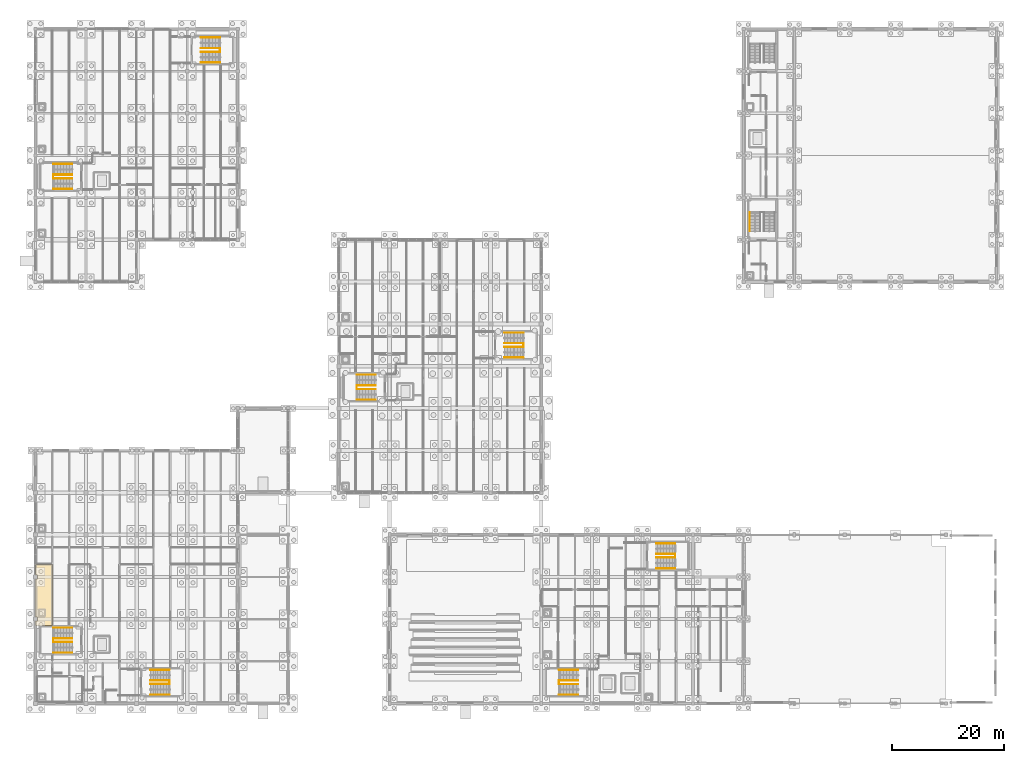
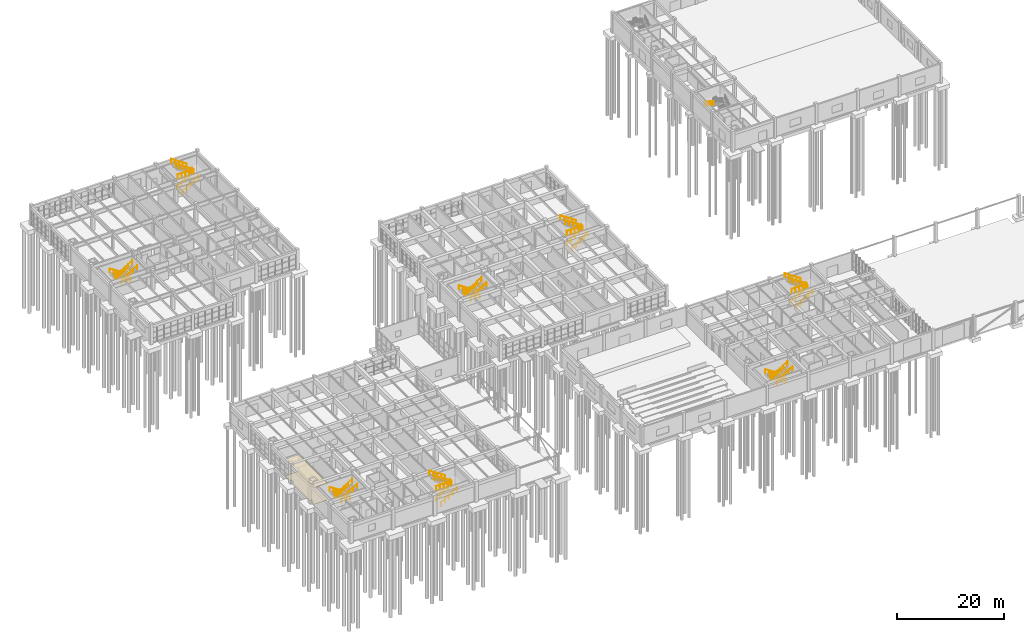
# One storey, part 91 of 93: 41 railings, 2 coverings.
"""IFC4 building model written with IfcOpenShell, lengths in metres."""

from ifc_helpers import new_model, si_unit, direction, frame, origin, origin_2d, place, context, subcontext, project, spatial, polyline, circle, outline, extrude, material, layer, layer_set, type_object, element, save


model = new_model("IFC4")

# Units and contexts
model_context = context("Model", 3, precision=1e-05, world=origin(), true_north=direction((0.0, 1.0)))
body_context = subcontext(model_context, "Body", "Model", "MODEL_VIEW")
ifc_project = project(units=[si_unit("LENGTHUNIT", "METRE"), si_unit("AREAUNIT", "SQUARE_METRE"), si_unit("VOLUMEUNIT", "CUBIC_METRE"), si_unit("PLANEANGLEUNIT", "RADIAN"), si_unit("MASSUNIT", "GRAM", prefix="KILO")], contexts=[model_context])

# Site, building, storey
site_placement = place(None, origin())
site = spatial("IfcSite", under=ifc_project, at=site_placement, CompositionType="ELEMENT")
building_placement = place(site_placement, origin())
building = spatial("IfcBuilding", under=site, at=building_placement, Name="Marnridge Secondary College", CompositionType="ELEMENT")
storey_placement = place(building_placement, origin())
storey = spatial("IfcBuildingStorey", under=building, at=storey_placement, Name="L00", CompositionType="ELEMENT", Elevation=0.0)

# Coverings
ifc_material_1 = material(Name="Perforated acoustic mineral-fibre ceiling tile", Category="gypsum")
ifc_layer_1 = layer(ifc_material_1, 0.02490234375)
ifc_layer_set_1 = layer_set([ifc_layer_1], Name="CV-CEIL-AC")
covering_type_1 = type_object("IfcCoveringType", Name="CV-CEIL-AC", PredefinedType="CEILING", material=ifc_layer_set_1)
covering_1_placement = place(storey_placement, frame((0.0, 0.0, 3.800048828125)))
element("IfcCovering", 1, at=covering_1_placement, inside=storey, type_object=covering_type_1, Name="Acoustic ceiling CVC-001", PredefinedType="CEILING", context=body_context, shape_type="SweptSolid", body=[
    extrude(outline(polyline([(2.998046875, 13.89208984375), (0.001953125, 13.89208984375), (0.001953125, 14.625), (0.375, 14.625), (0.375, 15.375), (0.001953125, 15.375), (0.001953125, 22.125), (0.375, 22.125), (0.375, 22.875), (0.001953125, 22.875), (0.001953125, 24.748046875), (2.998046875, 24.748046875), (2.998046875, 13.89208984375)])), origin(), (0.0, 0.0, 1.0), 0.02490234375),
])
ifc_material_2 = material(Name="Acoustic natural linoleum classroom flooring", Category="wood")
ifc_layer_2 = layer(ifc_material_2, 0.011962890625)
ifc_layer_set_2 = layer_set([ifc_layer_2], Name="CV-FLR-LINO")
covering_type_2 = type_object("IfcCoveringType", Name="CV-FLR-LINO", PredefinedType="FLOORING", material=ifc_layer_set_2)
covering_2_placement = place(storey_placement, origin())
element("IfcCovering", 2, at=covering_2_placement, inside=storey, type_object=covering_type_2, Name="Linoleum flooring CVF-001", PredefinedType="FLOORING", context=body_context, shape_type="SweptSolid", body=[
    extrude(outline(polyline([(2.998046875, 13.89208984375), (0.001953125, 13.89208984375), (0.001953125, 14.625), (0.375, 14.625), (0.375, 15.375), (0.001953125, 15.375), (0.001953125, 22.125), (0.375, 22.125), (0.375, 22.875), (0.001953125, 22.875), (0.001953125, 24.748046875), (2.998046875, 24.748046875), (2.998046875, 13.89208984375)])), origin(), (0.0, 0.0, 1.0), 0.011962890625),
])

# Railings
ifc_material_3 = material(Name="Stainless steel Grade 350 (350 MPa) 48 mm handrail", Category="steel")
railing_type_1 = type_object("IfcRailingType", Name="RL-HND-900", PredefinedType="HANDRAIL", material=ifc_material_3)
for number, where, name in (
    (3, (60.550048828125, 56.590087890625, 0.0), "Stair handrail HR-001"),
    (4, (60.550048828125, 58.469970703125, 0.0), "Stair handrail HR-002"),
):
    element("IfcRailing", number, at=place(storey_placement, frame(where)), inside=storey, type_object=railing_type_1, Name=name, PredefinedType="HANDRAIL", context=body_context, shape_type="SweptSolid", body=[
        extrude(circle(Radius=0.02392578125, at=origin_2d()), frame((0.0, 0.0, 0.8759765625), z_axis=(-0.83243859398, 0.0, 0.554117304595), x_axis=(0.0, -1.0, 0.0)), (0.0, 0.0, 1.0), 4.060546875),
        extrude(circle(Radius=0.02099609375, at=origin_2d()), origin(), (0.0, 0.0, 1.0), 0.851806640625),
        extrude(circle(Radius=0.02099609375, at=origin_2d()), frame((-0.844970703125, 0.0, 0.5625)), (0.0, 0.0, 1.0), 0.851806640625),
        extrude(circle(Radius=0.02099609375, at=origin_2d()), frame((-1.68994140625, 0.0, 1.125)), (0.0, 0.0, 1.0), 0.851806640625),
        extrude(circle(Radius=0.02099609375, at=origin_2d()), frame((-2.53515625, 0.0, 1.6875)), (0.0, 0.0, 1.0), 0.851806640625),
        extrude(circle(Radius=0.02099609375, at=origin_2d()), frame((-3.380126953125, 0.0, 2.25)), (0.0, 0.0, 1.0), 0.851806640625),
    ])
for number, where, name in (
    (5, (57.169921875, 54.030029296875, 2.25), "Stair handrail HR-003"),
    (6, (57.169921875, 55.909912109375, 2.25), "Stair handrail HR-004"),
    (7, (83.449951171875, 61.530029296875, 0.0), "Stair handrail HR-031"),
    (8, (83.449951171875, 63.409912109375, 0.0), "Stair handrail HR-032"),
):
    element("IfcRailing", number, at=place(storey_placement, frame(where)), inside=storey, type_object=railing_type_1, Name=name, PredefinedType="HANDRAIL", context=body_context, shape_type="SweptSolid", body=[
        extrude(circle(Radius=0.02392578125, at=origin_2d()), frame((0.0, 0.0, 0.8759765625), z_axis=(0.83243859398, 0.0, 0.554117304595), x_axis=(0.0, 1.0, 0.0)), (0.0, 0.0, 1.0), 4.060546875),
        extrude(circle(Radius=0.02099609375, at=origin_2d()), origin(), (0.0, 0.0, 1.0), 0.851806640625),
        extrude(circle(Radius=0.02099609375, at=origin_2d()), frame((0.844970703125, 0.0, 0.5625)), (0.0, 0.0, 1.0), 0.851806640625),
        extrude(circle(Radius=0.02099609375, at=origin_2d()), frame((1.68994140625, 0.0, 1.125)), (0.0, 0.0, 1.0), 0.851806640625),
        extrude(circle(Radius=0.02099609375, at=origin_2d()), frame((2.53515625, 0.0, 1.6875)), (0.0, 0.0, 1.0), 0.851806640625),
        extrude(circle(Radius=0.02099609375, at=origin_2d()), frame((3.380126953125, 0.0, 2.25)), (0.0, 0.0, 1.0), 0.851806640625),
    ])
for number, where, name in (
    (9, (86.830078125, 64.090087890625, 2.25), "Stair handrail HR-033"),
    (10, (86.830078125, 65.969970703125, 2.25), "Stair handrail HR-034"),
    (11, (6.550048828125, 11.590087890625, 0.0), "Stair handrail HR-061"),
    (12, (6.550048828125, 13.469970703125, 0.0), "Stair handrail HR-062"),
):
    element("IfcRailing", number, at=place(storey_placement, frame(where)), inside=storey, type_object=railing_type_1, Name=name, PredefinedType="HANDRAIL", context=body_context, shape_type="SweptSolid", body=[
        extrude(circle(Radius=0.02392578125, at=origin_2d()), frame((0.0, 0.0, 0.8759765625), z_axis=(-0.83243859398, 0.0, 0.554117304595), x_axis=(0.0, -1.0, 0.0)), (0.0, 0.0, 1.0), 4.060546875),
        extrude(circle(Radius=0.02099609375, at=origin_2d()), origin(), (0.0, 0.0, 1.0), 0.851806640625),
        extrude(circle(Radius=0.02099609375, at=origin_2d()), frame((-0.844970703125, 0.0, 0.5625)), (0.0, 0.0, 1.0), 0.851806640625),
        extrude(circle(Radius=0.02099609375, at=origin_2d()), frame((-1.68994140625, 0.0, 1.125)), (0.0, 0.0, 1.0), 0.851806640625),
        extrude(circle(Radius=0.02099609375, at=origin_2d()), frame((-2.53515625, 0.0, 1.6875)), (0.0, 0.0, 1.0), 0.851806640625),
        extrude(circle(Radius=0.02099609375, at=origin_2d()), frame((-3.380126953125, 0.0, 2.25)), (0.0, 0.0, 1.0), 0.851806640625),
    ])
for number, where, name in (
    (13, (3.169921875, 9.030029296875, 2.25), "Stair handrail HR-063"),
    (14, (3.169921875, 10.909912109375, 2.25), "Stair handrail HR-064"),
    (15, (20.449951171875, 1.530029296875, 0.0), "Stair handrail HR-085"),
    (16, (20.449951171875, 3.409912109375, 0.0), "Stair handrail HR-086"),
):
    element("IfcRailing", number, at=place(storey_placement, frame(where)), inside=storey, type_object=railing_type_1, Name=name, PredefinedType="HANDRAIL", context=body_context, shape_type="SweptSolid", body=[
        extrude(circle(Radius=0.02392578125, at=origin_2d()), frame((0.0, 0.0, 0.8759765625), z_axis=(0.83243859398, 0.0, 0.554117304595), x_axis=(0.0, 1.0, 0.0)), (0.0, 0.0, 1.0), 4.060546875),
        extrude(circle(Radius=0.02099609375, at=origin_2d()), origin(), (0.0, 0.0, 1.0), 0.851806640625),
        extrude(circle(Radius=0.02099609375, at=origin_2d()), frame((0.844970703125, 0.0, 0.5625)), (0.0, 0.0, 1.0), 0.851806640625),
        extrude(circle(Radius=0.02099609375, at=origin_2d()), frame((1.68994140625, 0.0, 1.125)), (0.0, 0.0, 1.0), 0.851806640625),
        extrude(circle(Radius=0.02099609375, at=origin_2d()), frame((2.53515625, 0.0, 1.6875)), (0.0, 0.0, 1.0), 0.851806640625),
        extrude(circle(Radius=0.02099609375, at=origin_2d()), frame((3.380126953125, 0.0, 2.25)), (0.0, 0.0, 1.0), 0.851806640625),
    ])
for number, where, name in (
    (17, (23.830078125, 4.090087890625, 2.25), "Stair handrail HR-087"),
    (18, (23.830078125, 5.969970703125, 2.25), "Stair handrail HR-088"),
    (19, (6.550048828125, 94.090087890625, 0.0), "Stair handrail HR-109"),
    (20, (6.550048828125, 95.969970703125, 0.0), "Stair handrail HR-110"),
):
    element("IfcRailing", number, at=place(storey_placement, frame(where)), inside=storey, type_object=railing_type_1, Name=name, PredefinedType="HANDRAIL", context=body_context, shape_type="SweptSolid", body=[
        extrude(circle(Radius=0.02392578125, at=origin_2d()), frame((0.0, 0.0, 0.8759765625), z_axis=(-0.83243859398, 0.0, 0.554117304595), x_axis=(0.0, -1.0, 0.0)), (0.0, 0.0, 1.0), 4.060546875),
        extrude(circle(Radius=0.02099609375, at=origin_2d()), origin(), (0.0, 0.0, 1.0), 0.851806640625),
        extrude(circle(Radius=0.02099609375, at=origin_2d()), frame((-0.844970703125, 0.0, 0.5625)), (0.0, 0.0, 1.0), 0.851806640625),
        extrude(circle(Radius=0.02099609375, at=origin_2d()), frame((-1.68994140625, 0.0, 1.125)), (0.0, 0.0, 1.0), 0.851806640625),
        extrude(circle(Radius=0.02099609375, at=origin_2d()), frame((-2.53515625, 0.0, 1.6875)), (0.0, 0.0, 1.0), 0.851806640625),
        extrude(circle(Radius=0.02099609375, at=origin_2d()), frame((-3.380126953125, 0.0, 2.25)), (0.0, 0.0, 1.0), 0.851806640625),
    ])
for number, where, name in (
    (21, (3.169921875, 91.530029296875, 2.25), "Stair handrail HR-111"),
    (22, (3.169921875, 93.409912109375, 2.25), "Stair handrail HR-112"),
    (23, (29.449951171875, 114.030029296875, 0.0), "Stair handrail HR-127"),
    (24, (29.449951171875, 115.909912109375, 0.0), "Stair handrail HR-128"),
):
    element("IfcRailing", number, at=place(storey_placement, frame(where)), inside=storey, type_object=railing_type_1, Name=name, PredefinedType="HANDRAIL", context=body_context, shape_type="SweptSolid", body=[
        extrude(circle(Radius=0.02392578125, at=origin_2d()), frame((0.0, 0.0, 0.8759765625), z_axis=(0.83243859398, 0.0, 0.554117304595), x_axis=(0.0, 1.0, 0.0)), (0.0, 0.0, 1.0), 4.060546875),
        extrude(circle(Radius=0.02099609375, at=origin_2d()), origin(), (0.0, 0.0, 1.0), 0.851806640625),
        extrude(circle(Radius=0.02099609375, at=origin_2d()), frame((0.844970703125, 0.0, 0.5625)), (0.0, 0.0, 1.0), 0.851806640625),
        extrude(circle(Radius=0.02099609375, at=origin_2d()), frame((1.68994140625, 0.0, 1.125)), (0.0, 0.0, 1.0), 0.851806640625),
        extrude(circle(Radius=0.02099609375, at=origin_2d()), frame((2.53515625, 0.0, 1.6875)), (0.0, 0.0, 1.0), 0.851806640625),
        extrude(circle(Radius=0.02099609375, at=origin_2d()), frame((3.380126953125, 0.0, 2.25)), (0.0, 0.0, 1.0), 0.851806640625),
    ])
for number, where, name in (
    (25, (32.830078125, 116.590087890625, 2.25), "Stair handrail HR-129"),
    (26, (32.830078125, 118.469970703125, 2.25), "Stair handrail HR-130"),
    (27, (96.550048828125, 4.090087890625, 0.0), "Stair handrail HR-145"),
    (28, (96.550048828125, 5.969970703125, 0.0), "Stair handrail HR-146"),
):
    element("IfcRailing", number, at=place(storey_placement, frame(where)), inside=storey, type_object=railing_type_1, Name=name, PredefinedType="HANDRAIL", context=body_context, shape_type="SweptSolid", body=[
        extrude(circle(Radius=0.02392578125, at=origin_2d()), frame((0.0, 0.0, 0.8759765625), z_axis=(-0.83243859398, 0.0, 0.554117304595), x_axis=(0.0, -1.0, 0.0)), (0.0, 0.0, 1.0), 4.060546875),
        extrude(circle(Radius=0.02099609375, at=origin_2d()), origin(), (0.0, 0.0, 1.0), 0.851806640625),
        extrude(circle(Radius=0.02099609375, at=origin_2d()), frame((-0.844970703125, 0.0, 0.5625)), (0.0, 0.0, 1.0), 0.851806640625),
        extrude(circle(Radius=0.02099609375, at=origin_2d()), frame((-1.68994140625, 0.0, 1.125)), (0.0, 0.0, 1.0), 0.851806640625),
        extrude(circle(Radius=0.02099609375, at=origin_2d()), frame((-2.53515625, 0.0, 1.6875)), (0.0, 0.0, 1.0), 0.851806640625),
        extrude(circle(Radius=0.02099609375, at=origin_2d()), frame((-3.380126953125, 0.0, 2.25)), (0.0, 0.0, 1.0), 0.851806640625),
    ])
for number, where, name in (
    (29, (93.169921875, 1.530029296875, 2.25), "Stair handrail HR-147"),
    (30, (93.169921875, 3.409912109375, 2.25), "Stair handrail HR-148"),
    (31, (110.449951171875, 24.030029296875, 0.0), "Stair handrail HR-157"),
    (32, (110.449951171875, 25.909912109375, 0.0), "Stair handrail HR-158"),
):
    element("IfcRailing", number, at=place(storey_placement, frame(where)), inside=storey, type_object=railing_type_1, Name=name, PredefinedType="HANDRAIL", context=body_context, shape_type="SweptSolid", body=[
        extrude(circle(Radius=0.02392578125, at=origin_2d()), frame((0.0, 0.0, 0.8759765625), z_axis=(0.83243859398, 0.0, 0.554117304595), x_axis=(0.0, 1.0, 0.0)), (0.0, 0.0, 1.0), 4.060546875),
        extrude(circle(Radius=0.02099609375, at=origin_2d()), origin(), (0.0, 0.0, 1.0), 0.851806640625),
        extrude(circle(Radius=0.02099609375, at=origin_2d()), frame((0.844970703125, 0.0, 0.5625)), (0.0, 0.0, 1.0), 0.851806640625),
        extrude(circle(Radius=0.02099609375, at=origin_2d()), frame((1.68994140625, 0.0, 1.125)), (0.0, 0.0, 1.0), 0.851806640625),
        extrude(circle(Radius=0.02099609375, at=origin_2d()), frame((2.53515625, 0.0, 1.6875)), (0.0, 0.0, 1.0), 0.851806640625),
        extrude(circle(Radius=0.02099609375, at=origin_2d()), frame((3.380126953125, 0.0, 2.25)), (0.0, 0.0, 1.0), 0.851806640625),
    ])
for number, where, name in (
    (33, (113.830078125, 26.590087890625, 2.25), "Stair handrail HR-159"),
    (34, (113.830078125, 28.469970703125, 2.25), "Stair handrail HR-160"),
):
    element("IfcRailing", number, at=place(storey_placement, frame(where)), inside=storey, type_object=railing_type_1, Name=name, PredefinedType="HANDRAIL", context=body_context, shape_type="SweptSolid", body=[
        extrude(circle(Radius=0.02392578125, at=origin_2d()), frame((0.0, 0.0, 0.8759765625), z_axis=(-0.83243859398, 0.0, 0.554117304595), x_axis=(0.0, -1.0, 0.0)), (0.0, 0.0, 1.0), 4.060546875),
        extrude(circle(Radius=0.02099609375, at=origin_2d()), origin(), (0.0, 0.0, 1.0), 0.851806640625),
        extrude(circle(Radius=0.02099609375, at=origin_2d()), frame((-0.844970703125, 0.0, 0.5625)), (0.0, 0.0, 1.0), 0.851806640625),
        extrude(circle(Radius=0.02099609375, at=origin_2d()), frame((-1.68994140625, 0.0, 1.125)), (0.0, 0.0, 1.0), 0.851806640625),
        extrude(circle(Radius=0.02099609375, at=origin_2d()), frame((-2.53515625, 0.0, 1.6875)), (0.0, 0.0, 1.0), 0.851806640625),
        extrude(circle(Radius=0.02099609375, at=origin_2d()), frame((-3.380126953125, 0.0, 2.25)), (0.0, 0.0, 1.0), 0.851806640625),
    ])
railing_1_placement = place(storey_placement, frame((127.080078125, 87.3798828125, 2.25)))
element("IfcRailing", 35, at=railing_1_placement, inside=storey, type_object=railing_type_1, Name="Stair handrail HR-171", PredefinedType="HANDRAIL", context=body_context, shape_type="SweptSolid", body=[
    extrude(circle(Radius=0.02392578125, at=origin_2d()), frame((0.0, 0.0, 0.8759765625), z_axis=(0.0, -0.832420131278, 0.554145039718), x_axis=(1.0, 0.0, 0.0)), (0.0, 0.0, 1.0), 4.060302734375),
    extrude(circle(Radius=0.02099609375, at=origin_2d()), origin(), (0.0, 0.0, 1.0), 0.851806640625),
    extrude(circle(Radius=0.02099609375, at=origin_2d()), frame((0.0, -0.844970703125, 0.5625)), (0.0, 0.0, 1.0), 0.851806640625),
    extrude(circle(Radius=0.02099609375, at=origin_2d()), frame((0.0, -1.68994140625, 1.125)), (0.0, 0.0, 1.0), 0.851806640625),
    extrude(circle(Radius=0.02099609375, at=origin_2d()), frame((0.0, -2.534912109375, 1.6875)), (0.0, 0.0, 1.0), 0.851806640625),
    extrude(circle(Radius=0.02099609375, at=origin_2d()), frame((0.0, -3.3798828125, 2.25)), (0.0, 0.0, 1.0), 0.851806640625),
])
ifc_material_4 = material(Name="Painted steel Grade C350L0 (350 MPa) stair-well guard", Category="steel")
railing_type_2 = type_object("IfcRailingType", Name="RL-STAIR-1150", PredefinedType="BALUSTRADE", material=ifc_material_4)
railing_2_placement = place(storey_placement, frame((60.550048828125, 56.530029296875, 2.25)))
element("IfcRailing", 36, at=railing_2_placement, inside=storey, type_object=railing_type_2, Name="Stair well slot guard GS-005", PredefinedType="BALUSTRADE", context=body_context, shape_type="SweptSolid", body=[
    extrude(circle(Radius=0.02392578125, at=origin_2d()), frame((0.0, 0.0, 1.1259765625), z_axis=(-1.0, 0.0, 0.0), x_axis=(0.0, -1.0, 0.0)), (0.0, 0.0, 1.0), 3.380126953125),
    extrude(circle(Radius=0.02392578125, at=origin_2d()), frame((-3.380126953125, 0.0, 1.1259765625), z_axis=(0.0, -1.0, 0.0), x_axis=(1.0, 0.0, 0.0)), (0.0, 0.0, 1.0), 0.56005859375),
    extrude(circle(Radius=0.02099609375, at=origin_2d()), origin(), (0.0, 0.0, 1.0), 1.101806640625),
    extrude(circle(Radius=0.02099609375, at=origin_2d()), frame((-0.844970703125, 0.0, 0.0)), (0.0, 0.0, 1.0), 1.101806640625),
    extrude(circle(Radius=0.02099609375, at=origin_2d()), frame((-1.68994140625, 0.0, 0.0)), (0.0, 0.0, 1.0), 1.101806640625),
    extrude(circle(Radius=0.02099609375, at=origin_2d()), frame((-2.53515625, 0.0, 0.0)), (0.0, 0.0, 1.0), 1.101806640625),
    extrude(circle(Radius=0.02099609375, at=origin_2d()), frame((-3.380126953125, 0.0, 0.0)), (0.0, 0.0, 1.0), 1.101806640625),
    extrude(circle(Radius=0.02099609375, at=origin_2d()), frame((-3.380126953125, -0.56005859375, 0.0)), (0.0, 0.0, 1.0), 1.101806640625),
])
railing_3_placement = place(storey_placement, frame((83.449951171875, 63.469970703125, 2.25)))
element("IfcRailing", 37, at=railing_3_placement, inside=storey, type_object=railing_type_2, Name="Stair well slot guard GS-035", PredefinedType="BALUSTRADE", context=body_context, shape_type="SweptSolid", body=[
    extrude(circle(Radius=0.02392578125, at=origin_2d()), frame((0.0, 0.0, 1.1259765625), z_axis=(1.0, 0.0, 0.0), x_axis=(0.0, 1.0, 0.0)), (0.0, 0.0, 1.0), 3.380126953125),
    extrude(circle(Radius=0.02392578125, at=origin_2d()), frame((3.380126953125, 0.0, 1.1259765625), z_axis=(0.0, 1.0, 0.0), x_axis=(-1.0, 0.0, 0.0)), (0.0, 0.0, 1.0), 0.56005859375),
    extrude(circle(Radius=0.02099609375, at=origin_2d()), origin(), (0.0, 0.0, 1.0), 1.101806640625),
    extrude(circle(Radius=0.02099609375, at=origin_2d()), frame((0.844970703125, 0.0, 0.0)), (0.0, 0.0, 1.0), 1.101806640625),
    extrude(circle(Radius=0.02099609375, at=origin_2d()), frame((1.68994140625, 0.0, 0.0)), (0.0, 0.0, 1.0), 1.101806640625),
    extrude(circle(Radius=0.02099609375, at=origin_2d()), frame((2.53515625, 0.0, 0.0)), (0.0, 0.0, 1.0), 1.101806640625),
    extrude(circle(Radius=0.02099609375, at=origin_2d()), frame((3.380126953125, 0.0, 0.0)), (0.0, 0.0, 1.0), 1.101806640625),
    extrude(circle(Radius=0.02099609375, at=origin_2d()), frame((3.380126953125, 0.56005859375, 0.0)), (0.0, 0.0, 1.0), 1.101806640625),
])
railing_4_placement = place(storey_placement, frame((6.550048828125, 11.530029296875, 2.25)))
element("IfcRailing", 38, at=railing_4_placement, inside=storey, type_object=railing_type_2, Name="Stair well slot guard GS-065", PredefinedType="BALUSTRADE", context=body_context, shape_type="SweptSolid", body=[
    extrude(circle(Radius=0.02392578125, at=origin_2d()), frame((0.0, 0.0, 1.1259765625), z_axis=(-1.0, 0.0, 0.0), x_axis=(0.0, -1.0, 0.0)), (0.0, 0.0, 1.0), 3.380126953125),
    extrude(circle(Radius=0.02392578125, at=origin_2d()), frame((-3.380126953125, 0.0, 1.1259765625), z_axis=(0.0, -1.0, 0.0), x_axis=(1.0, 0.0, 0.0)), (0.0, 0.0, 1.0), 0.56005859375),
    extrude(circle(Radius=0.02099609375, at=origin_2d()), origin(), (0.0, 0.0, 1.0), 1.101806640625),
    extrude(circle(Radius=0.02099609375, at=origin_2d()), frame((-0.844970703125, 0.0, 0.0)), (0.0, 0.0, 1.0), 1.101806640625),
    extrude(circle(Radius=0.02099609375, at=origin_2d()), frame((-1.68994140625, 0.0, 0.0)), (0.0, 0.0, 1.0), 1.101806640625),
    extrude(circle(Radius=0.02099609375, at=origin_2d()), frame((-2.53515625, 0.0, 0.0)), (0.0, 0.0, 1.0), 1.101806640625),
    extrude(circle(Radius=0.02099609375, at=origin_2d()), frame((-3.380126953125, 0.0, 0.0)), (0.0, 0.0, 1.0), 1.101806640625),
    extrude(circle(Radius=0.02099609375, at=origin_2d()), frame((-3.380126953125, -0.56005859375, 0.0)), (0.0, 0.0, 1.0), 1.101806640625),
])
railing_5_placement = place(storey_placement, frame((20.449951171875, 3.469970703125, 2.25)))
element("IfcRailing", 39, at=railing_5_placement, inside=storey, type_object=railing_type_2, Name="Stair well slot guard GS-089", PredefinedType="BALUSTRADE", context=body_context, shape_type="SweptSolid", body=[
    extrude(circle(Radius=0.02392578125, at=origin_2d()), frame((0.0, 0.0, 1.1259765625), z_axis=(1.0, 0.0, 0.0), x_axis=(0.0, 1.0, 0.0)), (0.0, 0.0, 1.0), 3.380126953125),
    extrude(circle(Radius=0.02392578125, at=origin_2d()), frame((3.380126953125, 0.0, 1.1259765625), z_axis=(0.0, 1.0, 0.0), x_axis=(-1.0, 0.0, 0.0)), (0.0, 0.0, 1.0), 0.56005859375),
    extrude(circle(Radius=0.02099609375, at=origin_2d()), origin(), (0.0, 0.0, 1.0), 1.101806640625),
    extrude(circle(Radius=0.02099609375, at=origin_2d()), frame((0.844970703125, 0.0, 0.0)), (0.0, 0.0, 1.0), 1.101806640625),
    extrude(circle(Radius=0.02099609375, at=origin_2d()), frame((1.68994140625, 0.0, 0.0)), (0.0, 0.0, 1.0), 1.101806640625),
    extrude(circle(Radius=0.02099609375, at=origin_2d()), frame((2.53515625, 0.0, 0.0)), (0.0, 0.0, 1.0), 1.101806640625),
    extrude(circle(Radius=0.02099609375, at=origin_2d()), frame((3.380126953125, 0.0, 0.0)), (0.0, 0.0, 1.0), 1.101806640625),
    extrude(circle(Radius=0.02099609375, at=origin_2d()), frame((3.380126953125, 0.56005859375, 0.0)), (0.0, 0.0, 1.0), 1.101806640625),
])
railing_6_placement = place(storey_placement, frame((6.550048828125, 94.030029296875, 2.25)))
element("IfcRailing", 40, at=railing_6_placement, inside=storey, type_object=railing_type_2, Name="Stair well slot guard GS-113", PredefinedType="BALUSTRADE", context=body_context, shape_type="SweptSolid", body=[
    extrude(circle(Radius=0.02392578125, at=origin_2d()), frame((0.0, 0.0, 1.1259765625), z_axis=(-1.0, 0.0, 0.0), x_axis=(0.0, -1.0, 0.0)), (0.0, 0.0, 1.0), 3.380126953125),
    extrude(circle(Radius=0.02392578125, at=origin_2d()), frame((-3.380126953125, 0.0, 1.1259765625), z_axis=(0.0, -1.0, 0.0), x_axis=(1.0, 0.0, 0.0)), (0.0, 0.0, 1.0), 0.56005859375),
    extrude(circle(Radius=0.02099609375, at=origin_2d()), origin(), (0.0, 0.0, 1.0), 1.101806640625),
    extrude(circle(Radius=0.02099609375, at=origin_2d()), frame((-0.844970703125, 0.0, 0.0)), (0.0, 0.0, 1.0), 1.101806640625),
    extrude(circle(Radius=0.02099609375, at=origin_2d()), frame((-1.68994140625, 0.0, 0.0)), (0.0, 0.0, 1.0), 1.101806640625),
    extrude(circle(Radius=0.02099609375, at=origin_2d()), frame((-2.53515625, 0.0, 0.0)), (0.0, 0.0, 1.0), 1.101806640625),
    extrude(circle(Radius=0.02099609375, at=origin_2d()), frame((-3.380126953125, 0.0, 0.0)), (0.0, 0.0, 1.0), 1.101806640625),
    extrude(circle(Radius=0.02099609375, at=origin_2d()), frame((-3.380126953125, -0.56005859375, 0.0)), (0.0, 0.0, 1.0), 1.101806640625),
])
railing_7_placement = place(storey_placement, frame((29.449951171875, 115.969970703125, 2.25)))
element("IfcRailing", 41, at=railing_7_placement, inside=storey, type_object=railing_type_2, Name="Stair well slot guard GS-131", PredefinedType="BALUSTRADE", context=body_context, shape_type="SweptSolid", body=[
    extrude(circle(Radius=0.02392578125, at=origin_2d()), frame((0.0, 0.0, 1.1259765625), z_axis=(1.0, 0.0, 0.0), x_axis=(0.0, 1.0, 0.0)), (0.0, 0.0, 1.0), 3.380126953125),
    extrude(circle(Radius=0.02392578125, at=origin_2d()), frame((3.380126953125, 0.0, 1.1259765625), z_axis=(0.0, 1.0, 0.0), x_axis=(-1.0, 0.0, 0.0)), (0.0, 0.0, 1.0), 0.56005859375),
    extrude(circle(Radius=0.02099609375, at=origin_2d()), origin(), (0.0, 0.0, 1.0), 1.101806640625),
    extrude(circle(Radius=0.02099609375, at=origin_2d()), frame((0.844970703125, 0.0, 0.0)), (0.0, 0.0, 1.0), 1.101806640625),
    extrude(circle(Radius=0.02099609375, at=origin_2d()), frame((1.68994140625, 0.0, 0.0)), (0.0, 0.0, 1.0), 1.101806640625),
    extrude(circle(Radius=0.02099609375, at=origin_2d()), frame((2.53515625, 0.0, 0.0)), (0.0, 0.0, 1.0), 1.101806640625),
    extrude(circle(Radius=0.02099609375, at=origin_2d()), frame((3.380126953125, 0.0, 0.0)), (0.0, 0.0, 1.0), 1.101806640625),
    extrude(circle(Radius=0.02099609375, at=origin_2d()), frame((3.380126953125, 0.56005859375, 0.0)), (0.0, 0.0, 1.0), 1.101806640625),
])
railing_8_placement = place(storey_placement, frame((96.550048828125, 4.030029296875, 2.25)))
element("IfcRailing", 42, at=railing_8_placement, inside=storey, type_object=railing_type_2, Name="Stair well slot guard GS-149", PredefinedType="BALUSTRADE", context=body_context, shape_type="SweptSolid", body=[
    extrude(circle(Radius=0.02392578125, at=origin_2d()), frame((0.0, 0.0, 1.1259765625), z_axis=(-1.0, 0.0, 0.0), x_axis=(0.0, -1.0, 0.0)), (0.0, 0.0, 1.0), 3.380126953125),
    extrude(circle(Radius=0.02392578125, at=origin_2d()), frame((-3.380126953125, 0.0, 1.1259765625), z_axis=(0.0, -1.0, 0.0), x_axis=(1.0, 0.0, 0.0)), (0.0, 0.0, 1.0), 0.56005859375),
    extrude(circle(Radius=0.02099609375, at=origin_2d()), origin(), (0.0, 0.0, 1.0), 1.101806640625),
    extrude(circle(Radius=0.02099609375, at=origin_2d()), frame((-0.844970703125, 0.0, 0.0)), (0.0, 0.0, 1.0), 1.101806640625),
    extrude(circle(Radius=0.02099609375, at=origin_2d()), frame((-1.68994140625, 0.0, 0.0)), (0.0, 0.0, 1.0), 1.101806640625),
    extrude(circle(Radius=0.02099609375, at=origin_2d()), frame((-2.53515625, 0.0, 0.0)), (0.0, 0.0, 1.0), 1.101806640625),
    extrude(circle(Radius=0.02099609375, at=origin_2d()), frame((-3.380126953125, 0.0, 0.0)), (0.0, 0.0, 1.0), 1.101806640625),
    extrude(circle(Radius=0.02099609375, at=origin_2d()), frame((-3.380126953125, -0.56005859375, 0.0)), (0.0, 0.0, 1.0), 1.101806640625),
])
railing_9_placement = place(storey_placement, frame((110.449951171875, 25.969970703125, 2.25)))
element("IfcRailing", 43, at=railing_9_placement, inside=storey, type_object=railing_type_2, Name="Stair well slot guard GS-161", PredefinedType="BALUSTRADE", context=body_context, shape_type="SweptSolid", body=[
    extrude(circle(Radius=0.02392578125, at=origin_2d()), frame((0.0, 0.0, 1.1259765625), z_axis=(1.0, 0.0, 0.0), x_axis=(0.0, 1.0, 0.0)), (0.0, 0.0, 1.0), 3.380126953125),
    extrude(circle(Radius=0.02392578125, at=origin_2d()), frame((3.380126953125, 0.0, 1.1259765625), z_axis=(0.0, 1.0, 0.0), x_axis=(-1.0, 0.0, 0.0)), (0.0, 0.0, 1.0), 0.56005859375),
    extrude(circle(Radius=0.02099609375, at=origin_2d()), origin(), (0.0, 0.0, 1.0), 1.101806640625),
    extrude(circle(Radius=0.02099609375, at=origin_2d()), frame((0.844970703125, 0.0, 0.0)), (0.0, 0.0, 1.0), 1.101806640625),
    extrude(circle(Radius=0.02099609375, at=origin_2d()), frame((1.68994140625, 0.0, 0.0)), (0.0, 0.0, 1.0), 1.101806640625),
    extrude(circle(Radius=0.02099609375, at=origin_2d()), frame((2.53515625, 0.0, 0.0)), (0.0, 0.0, 1.0), 1.101806640625),
    extrude(circle(Radius=0.02099609375, at=origin_2d()), frame((3.380126953125, 0.0, 0.0)), (0.0, 0.0, 1.0), 1.101806640625),
    extrude(circle(Radius=0.02099609375, at=origin_2d()), frame((3.380126953125, 0.56005859375, 0.0)), (0.0, 0.0, 1.0), 1.101806640625),
])

save(model, "model.ifc")
